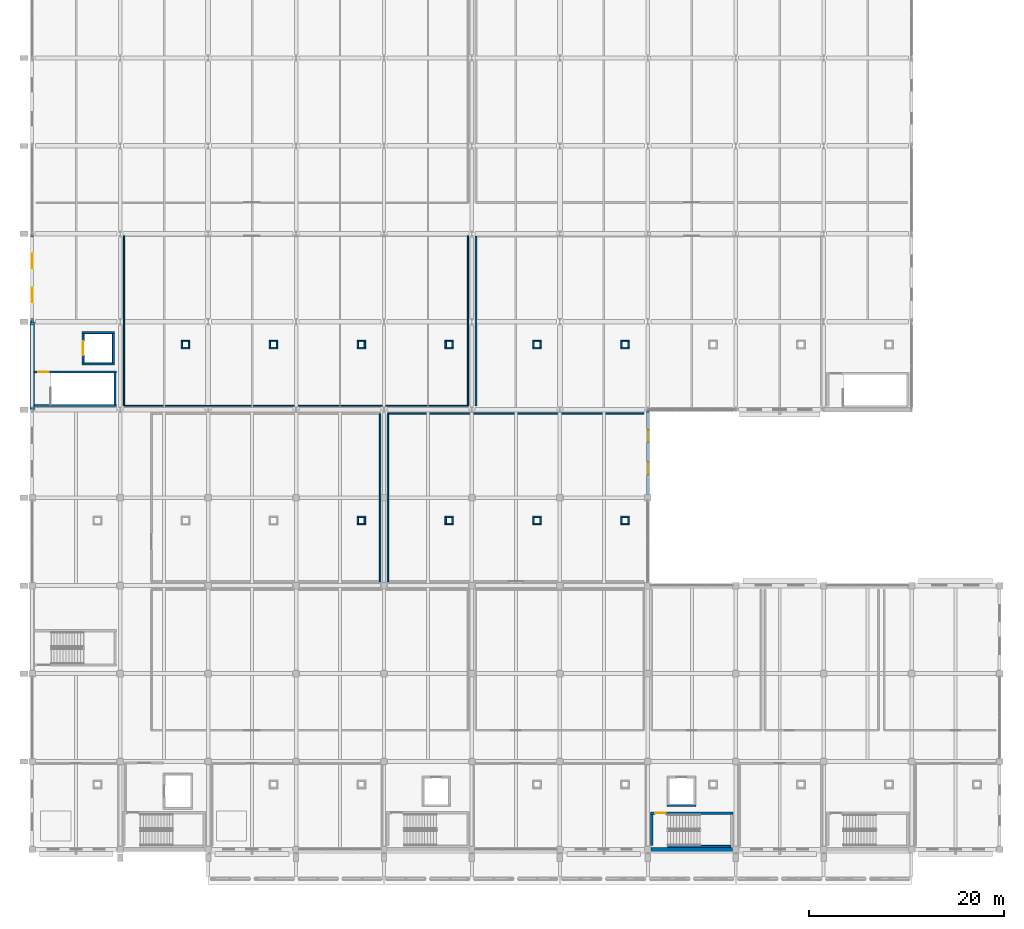
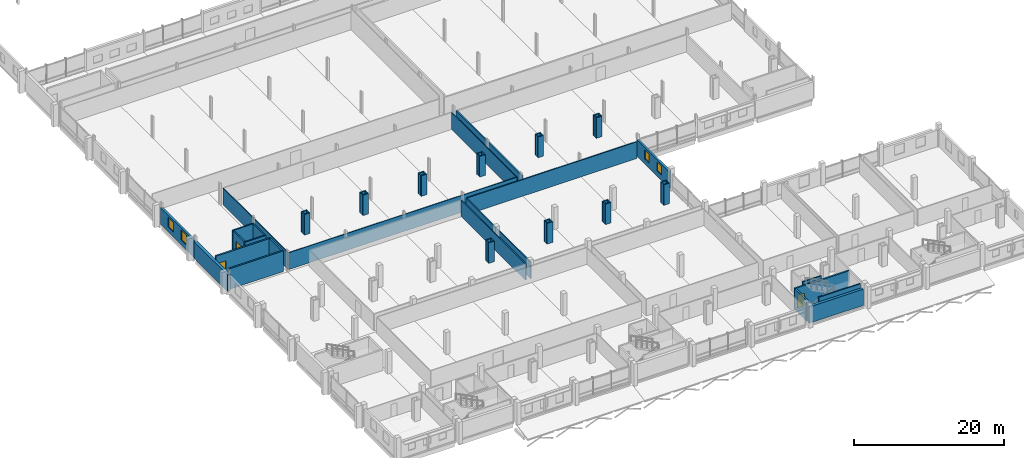
# One storey, part 103 of 132: 62 walls, 4 windows, 3 doors, 7 openings.
"""IFC4 building model written with IfcOpenShell, lengths in metres."""

from ifc_helpers import new_model, si_unit, direction, frame, frame_2d, origin, place, context, subcontext, project, spatial, rectangle, extrude, material, layer, layer_set, type_object, element, fill, save


model = new_model("IFC4")

# Units and contexts
model_context = context("Model", 3, precision=1e-05, world=origin(), true_north=direction((0.0, 1.0)))
body_context = subcontext(model_context, "Body", "Model", "MODEL_VIEW")
ifc_project = project(units=[si_unit("LENGTHUNIT", "METRE"), si_unit("AREAUNIT", "SQUARE_METRE"), si_unit("VOLUMEUNIT", "CUBIC_METRE"), si_unit("PLANEANGLEUNIT", "RADIAN"), si_unit("MASSUNIT", "GRAM", prefix="KILO")], contexts=[model_context])

# Site, building, storey
site_placement = place(None, origin())
site = spatial("IfcSite", under=ifc_project, at=site_placement, CompositionType="ELEMENT")
building_placement = place(site_placement, origin())
building = spatial("IfcBuilding", under=site, at=building_placement, Name="Tharagai Park Tramway Depot", CompositionType="ELEMENT")
storey_placement = place(building_placement, frame((0.0, 0.0, 4.800048828125)))
storey = spatial("IfcBuildingStorey", under=building, at=storey_placement, Name="L01", CompositionType="ELEMENT", Elevation=4.800048828125)

# Walls
ifc_material_1 = material(Name="Charnockite stone", Category="masonry")
ifc_layer_1 = layer(ifc_material_1, 0.419921875)
ifc_layer_set_1 = layer_set([ifc_layer_1], Name="Charnockite stone")
wall_type_1 = type_object("IfcWallType", Name="EW-07", PredefinedType="SOLIDWALL", material=ifc_layer_set_1)
wall_1_placement = place(storey_placement, frame((63.322998046875, 0.0, 0.0), z_axis=(0.0, 0.0, 1.0), x_axis=(1.0, 0.0, 0.0)))
element("IfcWall", 1, at=wall_1_placement, inside=storey, type_object=wall_type_1, Name="L01 V4 Exterior Masonry Wall EW-07", PredefinedType="SOLIDWALL", context=body_context, shape_type="SweptSolid", body=[
    extrude(rectangle(XDim=8.35400390625, YDim=0.419921875, at=frame_2d((4.177001953125, 0.0))), origin(), (0.0, 0.0, 1.0), 2.641845703125),
])
wall_2_placement = place(storey_placement, frame((0.0, 45.00390625, 0.0), z_axis=(0.0, 0.0, 1.0), x_axis=(0.0, 1.0, 0.0)))
element("IfcWall", 2, at=wall_2_placement, inside=storey, type_object=wall_type_1, Name="L01 V2 Exterior Masonry Wall EW-07", PredefinedType="SOLIDWALL", context=body_context, shape_type="SweptSolid", body=[
    extrude(rectangle(XDim=8.9921875, YDim=0.419921875, at=frame_2d((4.49609375, 0.0))), origin(), (0.0, 0.0, 1.0), 2.701904296875),
])

# Wall, openings, windows
ifc_material_2 = material(Name="Pressed clay brick", Category="masonry")
ifc_layer_2 = layer(ifc_material_2, 0.300048828125)
ifc_layer_set_2 = layer_set([ifc_layer_2], Name="Pressed clay brick")
wall_type_2 = type_object("IfcWallType", Name="EW-08", PredefinedType="SOLIDWALL", material=ifc_layer_set_2)
wall_3_placement = place(storey_placement, frame((0.0, 54.00390625, 0.0), z_axis=(0.0, 0.0, 1.0), x_axis=(0.0, 1.0, 0.0)))
wall_3 = element("IfcWall", 3, at=wall_3_placement, inside=storey, type_object=wall_type_2, Name="L01 V2 Exterior Masonry Wall EW-08", PredefinedType="SOLIDWALL", context=body_context, shape_type="SweptSolid", body=[
    extrude(rectangle(XDim=8.9921875, YDim=0.300048828125, at=frame_2d((4.49609375, 0.0))), origin(), (0.0, 0.0, 1.0), 2.741943359375),
])
opening_1_placement = place(wall_3_placement, frame((2.010986328125, 0.0, 0.85009765625)))
opening_1 = element("IfcOpeningElement", 4, at=opening_1_placement, cuts=wall_3, Name="Opening WN-03", PredefinedType="OPENING", context=body_context, shape_type="SweptSolid", body=[
    extrude(rectangle(XDim=1.47998046875, YDim=1.56005859375, at=frame_2d((0.739990234375, 0.780029296875))), frame((0.0, 0.159912109375, 0.0), z_axis=(0.0, -1.0, 0.0), x_axis=(1.0, 0.0, 0.0)), (0.0, 0.0, 1.0), 0.320068359375),
])
opening_2_placement = place(wall_3_placement, frame((5.5009765625, 0.0, 0.85009765625)))
opening_2 = element("IfcOpeningElement", 5, at=opening_2_placement, cuts=wall_3, Name="Opening WN-03", PredefinedType="OPENING", context=body_context, shape_type="SweptSolid", body=[
    extrude(rectangle(XDim=1.47998046875, YDim=1.56005859375, at=frame_2d((0.739990234375, 0.780029296875))), frame((0.0, 0.159912109375, 0.0), z_axis=(0.0, -1.0, 0.0), x_axis=(1.0, 0.0, 0.0)), (0.0, 0.0, 1.0), 0.320068359375),
])
ifc_material_3 = material(Name="Laminated solar-control glass", Category="glass")
window_type_1 = type_object("IfcWindowType", Name="WN-03", PartitioningType="SINGLE_PANEL", PredefinedType="WINDOW", material=ifc_material_3)
window_1_placement = place(opening_1_placement, origin())
window_1 = element("IfcWindow", 6, at=window_1_placement, inside=storey, type_object=window_type_1, Name="L01 V2 Side Lancet Window WN-03", OverallHeight=1.56005859375, OverallWidth=1.47998046875, PartitioningType="SINGLE_PANEL", PredefinedType="WINDOW", context=body_context, shape_type="SweptSolid", body=[
    extrude(rectangle(XDim=1.47998046875, YDim=1.56005859375, at=frame_2d((0.739990234375, 0.780029296875))), frame((0.0, 0.030029296875, 0.0), z_axis=(0.0, -1.0, 0.0), x_axis=(1.0, 0.0, 0.0)), (0.0, 0.0, 1.0), 0.06005859375),
])
fill(opening_1, window_1)
window_2_placement = place(opening_2_placement, origin())
window_2 = element("IfcWindow", 7, at=window_2_placement, inside=storey, type_object=window_type_1, Name="L01 V2 Side Lancet Window WN-03", OverallHeight=1.56005859375, OverallWidth=1.47998046875, PartitioningType="SINGLE_PANEL", PredefinedType="WINDOW", context=body_context, shape_type="SweptSolid", body=[
    extrude(rectangle(XDim=1.47998046875, YDim=1.56005859375, at=frame_2d((0.739990234375, 0.780029296875))), frame((0.0, 0.030029296875, 0.0), z_axis=(0.0, -1.0, 0.0), x_axis=(1.0, 0.0, 0.0)), (0.0, 0.0, 1.0), 0.06005859375),
])
fill(opening_2, window_2)

wall_4_placement = place(storey_placement, frame((63.0, 36.322998046875, 0.0), z_axis=(0.0, 0.0, 1.0), x_axis=(0.0, 1.0, 0.0)))
wall_4 = element("IfcWall", 8, at=wall_4_placement, inside=storey, type_object=wall_type_2, Name="L01 V4 Exterior Masonry Wall EW-08", PredefinedType="SOLIDWALL", context=body_context, shape_type="SweptSolid", body=[
    extrude(rectangle(XDim=8.673095703125, YDim=0.300048828125, at=frame_2d((4.33642578125, 0.0))), origin(), (0.0, 0.0, 1.0), 2.701904296875),
])
opening_3_placement = place(wall_4_placement, frame((2.051025390625, 0.0, 0.85009765625)))
opening_3 = element("IfcOpeningElement", 9, at=opening_3_placement, cuts=wall_4, Name="Opening WN-09", PredefinedType="OPENING", context=body_context, shape_type="SweptSolid", body=[
    extrude(rectangle(XDim=1.260009765625, YDim=1.4599609375, at=frame_2d((0.6298828125, 0.72998046875))), frame((0.0, 0.159912109375, 0.0), z_axis=(0.0, -1.0, 0.0), x_axis=(1.0, 0.0, 0.0)), (0.0, 0.0, 1.0), 0.320068359375),
])
opening_4_placement = place(wall_4_placement, frame((5.362060546875, 0.0, 0.85009765625)))
opening_4 = element("IfcOpeningElement", 10, at=opening_4_placement, cuts=wall_4, Name="Opening WN-09", PredefinedType="OPENING", context=body_context, shape_type="SweptSolid", body=[
    extrude(rectangle(XDim=1.260009765625, YDim=1.4599609375, at=frame_2d((0.6298828125, 0.72998046875))), frame((0.0, 0.159912109375, 0.0), z_axis=(0.0, -1.0, 0.0), x_axis=(1.0, 0.0, 0.0)), (0.0, 0.0, 1.0), 0.320068359375),
])
window_type_2 = type_object("IfcWindowType", Name="WN-09", PartitioningType="SINGLE_PANEL", PredefinedType="WINDOW", material=ifc_material_3)
window_3_placement = place(opening_3_placement, origin())
window_3 = element("IfcWindow", 11, at=window_3_placement, inside=storey, type_object=window_type_2, Name="L01 V4 Side Lancet Window WN-09", OverallHeight=1.4599609375, OverallWidth=1.260009765625, PartitioningType="SINGLE_PANEL", PredefinedType="WINDOW", context=body_context, shape_type="SweptSolid", body=[
    extrude(rectangle(XDim=1.260009765625, YDim=1.4599609375, at=frame_2d((0.6298828125, 0.72998046875))), frame((0.0, 0.030029296875, 0.0), z_axis=(0.0, -1.0, 0.0), x_axis=(1.0, 0.0, 0.0)), (0.0, 0.0, 1.0), 0.06005859375),
])
fill(opening_3, window_3)
window_4_placement = place(opening_4_placement, origin())
window_4 = element("IfcWindow", 12, at=window_4_placement, inside=storey, type_object=window_type_2, Name="L01 V4 Side Lancet Window WN-09", OverallHeight=1.4599609375, OverallWidth=1.260009765625, PartitioningType="SINGLE_PANEL", PredefinedType="WINDOW", context=body_context, shape_type="SweptSolid", body=[
    extrude(rectangle(XDim=1.260009765625, YDim=1.4599609375, at=frame_2d((0.6298828125, 0.72998046875))), frame((0.0, 0.030029296875, 0.0), z_axis=(0.0, -1.0, 0.0), x_axis=(1.0, 0.0, 0.0)), (0.0, 0.0, 1.0), 0.06005859375),
])
fill(opening_4, window_4)

# Walls
ifc_layer_3 = layer(ifc_material_2, 0.159912109375)
ifc_layer_set_3 = layer_set([ifc_layer_3], Name="Pressed clay brick")
wall_type_3 = type_object("IfcWallType", Name="IW-02", PredefinedType="PARTITIONING", material=ifc_layer_set_3)
for number, where, z_axis, x_axis, name in (
    (13, (15.239990234375, 51.320068359375, 0.0), (0.0, 0.0, 1.0), (1.0, 0.0, 0.0), "L01 Pipe Riser Enclosure Wall 1 S"),
    (14, (15.239990234375, 52.030029296875, 0.0), (0.0, 0.0, 1.0), (1.0, 0.0, 0.0), "L01 Pipe Riser Enclosure Wall 1 N"),
):
    element("IfcWall", number, at=place(storey_placement, frame(where, z_axis=z_axis, x_axis=x_axis)), inside=storey, type_object=wall_type_3, Name=name, PredefinedType="PARTITIONING", context=body_context, shape_type="SweptSolid", body=[
        extrude(rectangle(XDim=0.8701171875, YDim=0.159912109375, at=frame_2d((0.43505859375, 0.0))), origin(), (0.0, 0.0, 1.0), 3.349853515625),
    ])
for number, where, z_axis, x_axis, name in (
    (15, (15.320068359375, 51.39990234375, 0.0), (0.0, 0.0, 1.0), (0.0, 1.0, 0.0), "L01 Pipe Riser Enclosure Wall 1 W"),
    (16, (16.030029296875, 51.39990234375, 0.0), (0.0, 0.0, 1.0), (0.0, 1.0, 0.0), "L01 Pipe Riser Enclosure Wall 1 E"),
):
    element("IfcWall", number, at=place(storey_placement, frame(where, z_axis=z_axis, x_axis=x_axis)), inside=storey, type_object=wall_type_3, Name=name, PredefinedType="PARTITIONING", context=body_context, shape_type="SweptSolid", body=[
        extrude(rectangle(XDim=0.550048828125, YDim=0.159912109375, at=frame_2d((0.27490234375, 0.0))), origin(), (0.0, 0.0, 1.0), 3.349853515625),
    ])
for number, where, z_axis, x_axis, name in (
    (17, (24.239990234375, 51.320068359375, 0.0), (0.0, 0.0, 1.0), (1.0, 0.0, 0.0), "L01 Pipe Riser Enclosure Wall 2 S"),
    (18, (24.239990234375, 52.030029296875, 0.0), (0.0, 0.0, 1.0), (1.0, 0.0, 0.0), "L01 Pipe Riser Enclosure Wall 2 N"),
):
    element("IfcWall", number, at=place(storey_placement, frame(where, z_axis=z_axis, x_axis=x_axis)), inside=storey, type_object=wall_type_3, Name=name, PredefinedType="PARTITIONING", context=body_context, shape_type="SweptSolid", body=[
        extrude(rectangle(XDim=0.8701171875, YDim=0.159912109375, at=frame_2d((0.43505859375, 0.0))), origin(), (0.0, 0.0, 1.0), 3.349853515625),
    ])
for number, where, z_axis, x_axis, name in (
    (19, (24.320068359375, 51.39990234375, 0.0), (0.0, 0.0, 1.0), (0.0, 1.0, 0.0), "L01 Pipe Riser Enclosure Wall 2 W"),
    (20, (25.030029296875, 51.39990234375, 0.0), (0.0, 0.0, 1.0), (0.0, 1.0, 0.0), "L01 Pipe Riser Enclosure Wall 2 E"),
):
    element("IfcWall", number, at=place(storey_placement, frame(where, z_axis=z_axis, x_axis=x_axis)), inside=storey, type_object=wall_type_3, Name=name, PredefinedType="PARTITIONING", context=body_context, shape_type="SweptSolid", body=[
        extrude(rectangle(XDim=0.550048828125, YDim=0.159912109375, at=frame_2d((0.27490234375, 0.0))), origin(), (0.0, 0.0, 1.0), 3.349853515625),
    ])
for number, where, z_axis, x_axis, name in (
    (21, (33.239990234375, 51.320068359375, 0.0), (0.0, 0.0, 1.0), (1.0, 0.0, 0.0), "L01 Pipe Riser Enclosure Wall 3 S"),
    (22, (33.239990234375, 52.030029296875, 0.0), (0.0, 0.0, 1.0), (1.0, 0.0, 0.0), "L01 Pipe Riser Enclosure Wall 3 N"),
):
    element("IfcWall", number, at=place(storey_placement, frame(where, z_axis=z_axis, x_axis=x_axis)), inside=storey, type_object=wall_type_3, Name=name, PredefinedType="PARTITIONING", context=body_context, shape_type="SweptSolid", body=[
        extrude(rectangle(XDim=0.8701171875, YDim=0.159912109375, at=frame_2d((0.43505859375, 0.0))), origin(), (0.0, 0.0, 1.0), 3.349853515625),
    ])
for number, where, z_axis, x_axis, name in (
    (23, (33.320068359375, 51.39990234375, 0.0), (0.0, 0.0, 1.0), (0.0, 1.0, 0.0), "L01 Pipe Riser Enclosure Wall 3 W"),
    (24, (34.030029296875, 51.39990234375, 0.0), (0.0, 0.0, 1.0), (0.0, 1.0, 0.0), "L01 Pipe Riser Enclosure Wall 3 E"),
):
    element("IfcWall", number, at=place(storey_placement, frame(where, z_axis=z_axis, x_axis=x_axis)), inside=storey, type_object=wall_type_3, Name=name, PredefinedType="PARTITIONING", context=body_context, shape_type="SweptSolid", body=[
        extrude(rectangle(XDim=0.550048828125, YDim=0.159912109375, at=frame_2d((0.27490234375, 0.0))), origin(), (0.0, 0.0, 1.0), 3.349853515625),
    ])
for number, where, z_axis, x_axis, name in (
    (25, (42.239990234375, 51.320068359375, 0.0), (0.0, 0.0, 1.0), (1.0, 0.0, 0.0), "L01 Pipe Riser Enclosure Wall 4 S"),
    (26, (42.239990234375, 52.030029296875, 0.0), (0.0, 0.0, 1.0), (1.0, 0.0, 0.0), "L01 Pipe Riser Enclosure Wall 4 N"),
):
    element("IfcWall", number, at=place(storey_placement, frame(where, z_axis=z_axis, x_axis=x_axis)), inside=storey, type_object=wall_type_3, Name=name, PredefinedType="PARTITIONING", context=body_context, shape_type="SweptSolid", body=[
        extrude(rectangle(XDim=0.8701171875, YDim=0.159912109375, at=frame_2d((0.43505859375, 0.0))), origin(), (0.0, 0.0, 1.0), 3.349853515625),
    ])
for number, where, z_axis, x_axis, name in (
    (27, (42.320068359375, 51.39990234375, 0.0), (0.0, 0.0, 1.0), (0.0, 1.0, 0.0), "L01 Pipe Riser Enclosure Wall 4 W"),
    (28, (43.030029296875, 51.39990234375, 0.0), (0.0, 0.0, 1.0), (0.0, 1.0, 0.0), "L01 Pipe Riser Enclosure Wall 4 E"),
):
    element("IfcWall", number, at=place(storey_placement, frame(where, z_axis=z_axis, x_axis=x_axis)), inside=storey, type_object=wall_type_3, Name=name, PredefinedType="PARTITIONING", context=body_context, shape_type="SweptSolid", body=[
        extrude(rectangle(XDim=0.550048828125, YDim=0.159912109375, at=frame_2d((0.27490234375, 0.0))), origin(), (0.0, 0.0, 1.0), 3.349853515625),
    ])
for number, where, z_axis, x_axis, name in (
    (29, (51.239990234375, 51.320068359375, 0.0), (0.0, 0.0, 1.0), (1.0, 0.0, 0.0), "L01 Pipe Riser Enclosure Wall 5 S"),
    (30, (51.239990234375, 52.030029296875, 0.0), (0.0, 0.0, 1.0), (1.0, 0.0, 0.0), "L01 Pipe Riser Enclosure Wall 5 N"),
):
    element("IfcWall", number, at=place(storey_placement, frame(where, z_axis=z_axis, x_axis=x_axis)), inside=storey, type_object=wall_type_3, Name=name, PredefinedType="PARTITIONING", context=body_context, shape_type="SweptSolid", body=[
        extrude(rectangle(XDim=0.8701171875, YDim=0.159912109375, at=frame_2d((0.43505859375, 0.0))), origin(), (0.0, 0.0, 1.0), 3.349853515625),
    ])
for number, where, z_axis, x_axis, name in (
    (31, (51.320068359375, 51.39990234375, 0.0), (0.0, 0.0, 1.0), (0.0, 1.0, 0.0), "L01 Pipe Riser Enclosure Wall 5 W"),
    (32, (52.030029296875, 51.39990234375, 0.0), (0.0, 0.0, 1.0), (0.0, 1.0, 0.0), "L01 Pipe Riser Enclosure Wall 5 E"),
):
    element("IfcWall", number, at=place(storey_placement, frame(where, z_axis=z_axis, x_axis=x_axis)), inside=storey, type_object=wall_type_3, Name=name, PredefinedType="PARTITIONING", context=body_context, shape_type="SweptSolid", body=[
        extrude(rectangle(XDim=0.550048828125, YDim=0.159912109375, at=frame_2d((0.27490234375, 0.0))), origin(), (0.0, 0.0, 1.0), 3.349853515625),
    ])
for number, where, z_axis, x_axis, name in (
    (33, (60.239990234375, 51.320068359375, 0.0), (0.0, 0.0, 1.0), (1.0, 0.0, 0.0), "L01 Pipe Riser Enclosure Wall 6 S"),
    (34, (60.239990234375, 52.030029296875, 0.0), (0.0, 0.0, 1.0), (1.0, 0.0, 0.0), "L01 Pipe Riser Enclosure Wall 6 N"),
):
    element("IfcWall", number, at=place(storey_placement, frame(where, z_axis=z_axis, x_axis=x_axis)), inside=storey, type_object=wall_type_3, Name=name, PredefinedType="PARTITIONING", context=body_context, shape_type="SweptSolid", body=[
        extrude(rectangle(XDim=0.8701171875, YDim=0.159912109375, at=frame_2d((0.43505859375, 0.0))), origin(), (0.0, 0.0, 1.0), 3.349853515625),
    ])
for number, where, z_axis, x_axis, name in (
    (35, (60.320068359375, 51.39990234375, 0.0), (0.0, 0.0, 1.0), (0.0, 1.0, 0.0), "L01 Pipe Riser Enclosure Wall 6 W"),
    (36, (61.030029296875, 51.39990234375, 0.0), (0.0, 0.0, 1.0), (0.0, 1.0, 0.0), "L01 Pipe Riser Enclosure Wall 6 E"),
):
    element("IfcWall", number, at=place(storey_placement, frame(where, z_axis=z_axis, x_axis=x_axis)), inside=storey, type_object=wall_type_3, Name=name, PredefinedType="PARTITIONING", context=body_context, shape_type="SweptSolid", body=[
        extrude(rectangle(XDim=0.550048828125, YDim=0.159912109375, at=frame_2d((0.27490234375, 0.0))), origin(), (0.0, 0.0, 1.0), 3.349853515625),
    ])
for number, where, z_axis, x_axis, name in (
    (37, (33.239990234375, 33.320068359375, 0.0), (0.0, 0.0, 1.0), (1.0, 0.0, 0.0), "L01 Pipe Riser Enclosure Wall 27 S"),
    (38, (33.239990234375, 34.030029296875, 0.0), (0.0, 0.0, 1.0), (1.0, 0.0, 0.0), "L01 Pipe Riser Enclosure Wall 27 N"),
):
    element("IfcWall", number, at=place(storey_placement, frame(where, z_axis=z_axis, x_axis=x_axis)), inside=storey, type_object=wall_type_3, Name=name, PredefinedType="PARTITIONING", context=body_context, shape_type="SweptSolid", body=[
        extrude(rectangle(XDim=0.8701171875, YDim=0.159912109375, at=frame_2d((0.43505859375, 0.0))), origin(), (0.0, 0.0, 1.0), 3.349853515625),
    ])
for number, where, z_axis, x_axis, name in (
    (39, (33.320068359375, 33.39990234375, 0.0), (0.0, 0.0, 1.0), (0.0, 1.0, 0.0), "L01 Pipe Riser Enclosure Wall 27 W"),
    (40, (34.030029296875, 33.39990234375, 0.0), (0.0, 0.0, 1.0), (0.0, 1.0, 0.0), "L01 Pipe Riser Enclosure Wall 27 E"),
):
    element("IfcWall", number, at=place(storey_placement, frame(where, z_axis=z_axis, x_axis=x_axis)), inside=storey, type_object=wall_type_3, Name=name, PredefinedType="PARTITIONING", context=body_context, shape_type="SweptSolid", body=[
        extrude(rectangle(XDim=0.550048828125, YDim=0.159912109375, at=frame_2d((0.27490234375, 0.0))), origin(), (0.0, 0.0, 1.0), 3.349853515625),
    ])
for number, where, z_axis, x_axis, name in (
    (41, (42.239990234375, 33.320068359375, 0.0), (0.0, 0.0, 1.0), (1.0, 0.0, 0.0), "L01 Pipe Riser Enclosure Wall 28 S"),
    (42, (42.239990234375, 34.030029296875, 0.0), (0.0, 0.0, 1.0), (1.0, 0.0, 0.0), "L01 Pipe Riser Enclosure Wall 28 N"),
):
    element("IfcWall", number, at=place(storey_placement, frame(where, z_axis=z_axis, x_axis=x_axis)), inside=storey, type_object=wall_type_3, Name=name, PredefinedType="PARTITIONING", context=body_context, shape_type="SweptSolid", body=[
        extrude(rectangle(XDim=0.8701171875, YDim=0.159912109375, at=frame_2d((0.43505859375, 0.0))), origin(), (0.0, 0.0, 1.0), 3.349853515625),
    ])
for number, where, z_axis, x_axis, name in (
    (43, (42.320068359375, 33.39990234375, 0.0), (0.0, 0.0, 1.0), (0.0, 1.0, 0.0), "L01 Pipe Riser Enclosure Wall 28 W"),
    (44, (43.030029296875, 33.39990234375, 0.0), (0.0, 0.0, 1.0), (0.0, 1.0, 0.0), "L01 Pipe Riser Enclosure Wall 28 E"),
):
    element("IfcWall", number, at=place(storey_placement, frame(where, z_axis=z_axis, x_axis=x_axis)), inside=storey, type_object=wall_type_3, Name=name, PredefinedType="PARTITIONING", context=body_context, shape_type="SweptSolid", body=[
        extrude(rectangle(XDim=0.550048828125, YDim=0.159912109375, at=frame_2d((0.27490234375, 0.0))), origin(), (0.0, 0.0, 1.0), 3.349853515625),
    ])
for number, where, z_axis, x_axis, name in (
    (45, (51.239990234375, 33.320068359375, 0.0), (0.0, 0.0, 1.0), (1.0, 0.0, 0.0), "L01 Pipe Riser Enclosure Wall 29 S"),
    (46, (51.239990234375, 34.030029296875, 0.0), (0.0, 0.0, 1.0), (1.0, 0.0, 0.0), "L01 Pipe Riser Enclosure Wall 29 N"),
):
    element("IfcWall", number, at=place(storey_placement, frame(where, z_axis=z_axis, x_axis=x_axis)), inside=storey, type_object=wall_type_3, Name=name, PredefinedType="PARTITIONING", context=body_context, shape_type="SweptSolid", body=[
        extrude(rectangle(XDim=0.8701171875, YDim=0.159912109375, at=frame_2d((0.43505859375, 0.0))), origin(), (0.0, 0.0, 1.0), 3.349853515625),
    ])
for number, where, z_axis, x_axis, name in (
    (47, (51.320068359375, 33.39990234375, 0.0), (0.0, 0.0, 1.0), (0.0, 1.0, 0.0), "L01 Pipe Riser Enclosure Wall 29 W"),
    (48, (52.030029296875, 33.39990234375, 0.0), (0.0, 0.0, 1.0), (0.0, 1.0, 0.0), "L01 Pipe Riser Enclosure Wall 29 E"),
):
    element("IfcWall", number, at=place(storey_placement, frame(where, z_axis=z_axis, x_axis=x_axis)), inside=storey, type_object=wall_type_3, Name=name, PredefinedType="PARTITIONING", context=body_context, shape_type="SweptSolid", body=[
        extrude(rectangle(XDim=0.550048828125, YDim=0.159912109375, at=frame_2d((0.27490234375, 0.0))), origin(), (0.0, 0.0, 1.0), 3.349853515625),
    ])
for number, where, z_axis, x_axis, name in (
    (49, (60.239990234375, 33.320068359375, 0.0), (0.0, 0.0, 1.0), (1.0, 0.0, 0.0), "L01 Pipe Riser Enclosure Wall 30 S"),
    (50, (60.239990234375, 34.030029296875, 0.0), (0.0, 0.0, 1.0), (1.0, 0.0, 0.0), "L01 Pipe Riser Enclosure Wall 30 N"),
):
    element("IfcWall", number, at=place(storey_placement, frame(where, z_axis=z_axis, x_axis=x_axis)), inside=storey, type_object=wall_type_3, Name=name, PredefinedType="PARTITIONING", context=body_context, shape_type="SweptSolid", body=[
        extrude(rectangle(XDim=0.8701171875, YDim=0.159912109375, at=frame_2d((0.43505859375, 0.0))), origin(), (0.0, 0.0, 1.0), 3.349853515625),
    ])
for number, where, z_axis, x_axis, name in (
    (51, (60.320068359375, 33.39990234375, 0.0), (0.0, 0.0, 1.0), (0.0, 1.0, 0.0), "L01 Pipe Riser Enclosure Wall 30 W"),
    (52, (61.030029296875, 33.39990234375, 0.0), (0.0, 0.0, 1.0), (0.0, 1.0, 0.0), "L01 Pipe Riser Enclosure Wall 30 E"),
):
    element("IfcWall", number, at=place(storey_placement, frame(where, z_axis=z_axis, x_axis=x_axis)), inside=storey, type_object=wall_type_3, Name=name, PredefinedType="PARTITIONING", context=body_context, shape_type="SweptSolid", body=[
        extrude(rectangle(XDim=0.550048828125, YDim=0.159912109375, at=frame_2d((0.27490234375, 0.0))), origin(), (0.0, 0.0, 1.0), 3.349853515625),
    ])
wall_5_placement = place(storey_placement, frame((35.60009765625, 27.39990234375, 0.0), z_axis=(0.0, 0.0, 1.0), x_axis=(0.0, 1.0, 0.0)))
element("IfcWall", 53, at=wall_5_placement, inside=storey, type_object=wall_type_3, Name="Communications Server and UPS Plant Room Partition East", PredefinedType="PARTITIONING", context=body_context, shape_type="SweptSolid", body=[
    extrude(rectangle(XDim=17.2001953125, YDim=0.159912109375, at=frame_2d((8.60009765625, 0.0))), origin(), (0.0, 0.0, 1.0), 2.64501953125),
])
wall_6_placement = place(storey_placement, frame((36.39990234375, 44.60009765625, 0.0), z_axis=(0.0, 0.0, 1.0), x_axis=(1.0, 0.0, 0.0)))
element("IfcWall", 54, at=wall_6_placement, inside=storey, type_object=wall_type_3, Name="West Wing Chilled-Water AHU Plant Room Partition North", PredefinedType="PARTITIONING", context=body_context, shape_type="SweptSolid", body=[
    extrude(rectangle(XDim=26.2001953125, YDim=0.159912109375, at=frame_2d((13.10009765625, 0.0))), origin(), (0.0, 0.0, 1.0), 2.704833984375),
])
wall_7_placement = place(storey_placement, frame((36.39990234375, 27.39990234375, 0.0), z_axis=(0.0, 0.0, 1.0), x_axis=(0.0, 1.0, 0.0)))
element("IfcWall", 55, at=wall_7_placement, inside=storey, type_object=wall_type_3, Name="West Wing Chilled-Water AHU Plant Room Partition West", PredefinedType="PARTITIONING", context=body_context, shape_type="SweptSolid", body=[
    extrude(rectangle(XDim=17.2001953125, YDim=0.159912109375, at=frame_2d((8.60009765625, 0.0))), origin(), (0.0, 0.0, 1.0), 2.64501953125),
])
ifc_material_4 = material(Name="Gypsum board", Category="gypsum")
ifc_layer_4 = layer(ifc_material_4, 0.1201171875)
ifc_layer_set_4 = layer_set([ifc_layer_4], Name="Gypsum board")
wall_type_4 = type_object("IfcWallType", Name="IW-03", PredefinedType="PARTITIONING", material=ifc_layer_set_4)
wall_8_placement = place(storey_placement, frame((9.39990234375, 45.39990234375, 0.0), z_axis=(0.0, 0.0, 1.0), x_axis=(1.0, 0.0, 0.0)))
element("IfcWall", 56, at=wall_8_placement, inside=storey, type_object=wall_type_4, Name="Bogie Overhaul Workshop Partition South", PredefinedType="PARTITIONING", context=body_context, shape_type="SweptSolid", body=[
    extrude(rectangle(XDim=35.2001953125, YDim=0.1201171875, at=frame_2d((17.60009765625, 0.0))), origin(), (0.0, 0.0, 1.0), 2.744873046875),
])
for number, where, z_axis, x_axis, name in (
    (57, (9.39990234375, 45.39990234375, 0.0), (0.0, 0.0, 1.0), (0.0, 1.0, 0.0), "Bogie Overhaul Workshop Partition West"),
    (58, (44.60009765625, 45.39990234375, 0.0), (0.0, 0.0, 1.0), (0.0, 1.0, 0.0), "Bogie Overhaul Workshop Partition East"),
):
    element("IfcWall", number, at=place(storey_placement, frame(where, z_axis=z_axis, x_axis=x_axis)), inside=storey, type_object=wall_type_4, Name=name, PredefinedType="PARTITIONING", context=body_context, shape_type="SweptSolid", body=[
        extrude(rectangle(XDim=17.400146484375, YDim=0.1201171875, at=frame_2d((8.7001953125, 0.0))), origin(), (0.0, 0.0, 1.0), 2.744873046875),
    ])
ifc_layer_5 = layer(ifc_material_2, 0.219970703125)
ifc_layer_set_5 = layer_set([ifc_layer_5], Name="Pressed clay brick")
wall_type_5 = type_object("IfcWallType", Name="IW-05", PredefinedType="SOLIDWALL", material=ifc_layer_set_5)
wall_9_placement = place(storey_placement, frame((45.39990234375, 45.39990234375, 0.0), z_axis=(0.0, 0.0, 1.0), x_axis=(0.0, 1.0, 0.0)))
element("IfcWall", 59, at=wall_9_placement, inside=storey, type_object=wall_type_5, Name="Traction Motor and Battery Workshop Partition West", PredefinedType="SOLIDWALL", context=body_context, shape_type="SweptSolid", body=[
    extrude(rectangle(XDim=17.400146484375, YDim=0.219970703125, at=frame_2d((8.7001953125, 0.0))), origin(), (0.0, 0.0, 1.0), 2.744873046875),
])

# Wall, opening, door
ifc_material_5 = material(Name="Concrete M40", Category="concrete")
ifc_layer_6 = layer(ifc_material_5, 0.239990234375)
ifc_layer_set_6 = layer_set([ifc_layer_6], Name="Concrete M40")
wall_type_6 = type_object("IfcWallType", Name="SW-01", PredefinedType="SHEAR", material=ifc_layer_set_6)
wall_10_placement = place(storey_placement, frame((63.280029296875, 3.7099609375, 0.0), z_axis=(0.0, 0.0, 1.0), x_axis=(1.0, 0.0, 0.0)))
wall_10 = element("IfcWall", 60, at=wall_10_placement, inside=storey, type_object=wall_type_6, Name="Core C4 L01 Shear Wall North", PredefinedType="SHEAR", context=body_context, shape_type="SweptSolid", body=[
    extrude(rectangle(XDim=8.43994140625, YDim=0.239990234375, at=frame_2d((4.219970703125, 0.0))), origin(), (0.0, 0.0, 1.0), 3.349853515625),
])
opening_5_placement = place(wall_10_placement, frame((0.4599609375, 0.0, 0.0)))
opening_5 = element("IfcOpeningElement", 61, at=opening_5_placement, cuts=wall_10, Name="Opening ID-05", PredefinedType="OPENING", context=body_context, shape_type="SweptSolid", body=[
    extrude(rectangle(XDim=1.080078125, YDim=2.080078125, at=frame_2d((0.5400390625, 1.0400390625))), frame((0.0, 0.1298828125, 0.0), z_axis=(0.0, -1.0, 0.0), x_axis=(1.0, 0.0, 0.0)), (0.0, 0.0, 1.0), 0.260009765625),
])
ifc_material_6 = material(Name="Galvanised steel", Category="steel")
door_type_1 = type_object("IfcDoorType", Name="ID-05", OperationType="NOTDEFINED", PredefinedType="DOOR", material=ifc_material_6)
door_1_placement = place(opening_5_placement, frame((1.080078125, 0.0, 0.0), z_axis=(0.0, 0.0, 1.0), x_axis=(-1.0, 0.0, 0.0)))
door_1 = element("IfcDoor", 62, at=door_1_placement, inside=storey, type_object=door_type_1, Name="Stair ST-04 L01 Fire Door", OperationType="SINGLE_SWING_LEFT", OverallHeight=2.080078125, OverallWidth=1.080078125, PredefinedType="DOOR", context=body_context, shape_type="SweptSolid", body=[
    extrude(rectangle(XDim=1.080078125, YDim=2.080078125, at=frame_2d((0.5400390625, 1.0400390625))), frame((0.0, 0.02490234375, 0.0), z_axis=(0.0, -1.0, 0.0), x_axis=(1.0, 0.0, 0.0)), (0.0, 0.0, 1.0), 0.050048828125),
])
fill(opening_5, door_1)

# Walls
wall_11_placement = place(storey_placement, frame((63.39990234375, 0.39990234375, 0.0), z_axis=(0.0, 0.0, 1.0), x_axis=(0.0, 1.0, 0.0)))
element("IfcWall", 63, at=wall_11_placement, inside=storey, type_object=wall_type_6, Name="Core C4 L01 Shear Wall West", PredefinedType="SHEAR", context=body_context, shape_type="SweptSolid", body=[
    extrude(rectangle(XDim=3.190185546875, YDim=0.239990234375, at=frame_2d((1.59521484375, 0.0))), origin(), (0.0, 0.0, 1.0), 3.349853515625),
])
wall_12_placement = place(storey_placement, frame((0.159912109375, 45.429931640625, 0.0), z_axis=(0.0, 0.0, 1.0), x_axis=(1.0, 0.0, 0.0)))
element("IfcWall", 64, at=wall_12_placement, inside=storey, type_object=wall_type_6, Name="Core C8 L01 Shear Wall South", PredefinedType="SHEAR", context=body_context, shape_type="SweptSolid", body=[
    extrude(rectangle(XDim=8.440185546875, YDim=0.239990234375, at=frame_2d((4.22021484375, 0.0))), origin(), (0.0, 0.0, 1.0), 3.349853515625),
])

# Wall, opening, door
wall_13_placement = place(storey_placement, frame((0.159912109375, 48.860107421875, 0.0), z_axis=(0.0, 0.0, 1.0), x_axis=(1.0, 0.0, 0.0)))
wall_13 = element("IfcWall", 65, at=wall_13_placement, inside=storey, type_object=wall_type_6, Name="Core C8 L01 Shear Wall North", PredefinedType="SHEAR", context=body_context, shape_type="SweptSolid", body=[
    extrude(rectangle(XDim=8.440185546875, YDim=0.239990234375, at=frame_2d((4.22021484375, 0.0))), origin(), (0.0, 0.0, 1.0), 3.349853515625),
])
opening_6_placement = place(wall_13_placement, frame((0.4599609375, 0.0, 0.0)))
opening_6 = element("IfcOpeningElement", 66, at=opening_6_placement, cuts=wall_13, Name="Opening ID-05", PredefinedType="OPENING", context=body_context, shape_type="SweptSolid", body=[
    extrude(rectangle(XDim=1.080078125, YDim=2.080078125, at=frame_2d((0.5400390625, 1.0400390625))), frame((0.0, 0.1298828125, 0.0), z_axis=(0.0, -1.0, 0.0), x_axis=(1.0, 0.0, 0.0)), (0.0, 0.0, 1.0), 0.260009765625),
])
door_2_placement = place(opening_6_placement, frame((1.080078125, 0.0, 0.0), z_axis=(0.0, 0.0, 1.0), x_axis=(-1.0, 0.0, 0.0)))
door_2 = element("IfcDoor", 67, at=door_2_placement, inside=storey, type_object=door_type_1, Name="Stair ST-08 L01 Fire Door", OperationType="SINGLE_SWING_RIGHT", OverallHeight=2.080078125, OverallWidth=1.080078125, PredefinedType="DOOR", context=body_context, shape_type="SweptSolid", body=[
    extrude(rectangle(XDim=1.080078125, YDim=2.080078125, at=frame_2d((0.5400390625, 1.0400390625))), frame((0.0, 0.02490234375, 0.0), z_axis=(0.0, -1.0, 0.0), x_axis=(1.0, 0.0, 0.0)), (0.0, 0.0, 1.0), 0.050048828125),
])
fill(opening_6, door_2)

# Walls
wall_14_placement = place(storey_placement, frame((8.47998046875, 45.550048828125, 0.0), z_axis=(0.0, 0.0, 1.0), x_axis=(0.0, 1.0, 0.0)))
element("IfcWall", 68, at=wall_14_placement, inside=storey, type_object=wall_type_6, Name="Core C8 L01 Shear Wall East", PredefinedType="SHEAR", context=body_context, shape_type="SweptSolid", body=[
    extrude(rectangle(XDim=3.18994140625, YDim=0.239990234375, at=frame_2d((1.594970703125, 0.0))), origin(), (0.0, 0.0, 1.0), 3.349853515625),
])
ifc_layer_7 = layer(ifc_material_5, 0.199951171875)
ifc_layer_set_7 = layer_set([ifc_layer_7], Name="Concrete M40")
wall_type_7 = type_object("IfcWallType", Name="SW-02", PredefinedType="SHEAR", material=ifc_layer_set_7)
wall_15_placement = place(storey_placement, frame((65.0400390625, 0.31494140625, 0.0), z_axis=(0.0, 0.0, 1.0), x_axis=(1.0, 0.0, 0.0)))
element("IfcWall", 69, at=wall_15_placement, inside=storey, type_object=wall_type_7, Name="Core C4 L01 Shear Bearing Liner South", PredefinedType="SHEAR", context=body_context, shape_type="SweptSolid", body=[
    extrude(rectangle(XDim=6.43994140625, YDim=0.199951171875, at=frame_2d((3.219970703125, 0.0))), origin(), (0.0, 0.0, 1.0), 3.349853515625),
])
wall_16_placement = place(storey_placement, frame((65.0, 4.5, 0.0), z_axis=(0.0, 0.0, 1.0), x_axis=(1.0, 0.0, 0.0)))
element("IfcWall", 70, at=wall_16_placement, inside=storey, type_object=wall_type_7, Name="Lift LP-02 L01 Shaft Wall South", PredefinedType="SHEAR", context=body_context, shape_type="SweptSolid", body=[
    extrude(rectangle(XDim=2.89990234375, YDim=0.199951171875, at=frame_2d((1.449951171875, 0.0))), origin(), (0.0, 0.0, 1.0), 3.349853515625),
])
for number, where, z_axis, x_axis, name in (
    (71, (5.10009765625, 49.699951171875, 0.0), (0.0, 0.0, 1.0), (1.0, 0.0, 0.0), "Lift LG-01 L01 Shaft Wall South"),
    (72, (5.10009765625, 52.89990234375, 0.0), (0.0, 0.0, 1.0), (1.0, 0.0, 0.0), "Lift LG-01 L01 Shaft Wall North"),
):
    element("IfcWall", number, at=place(storey_placement, frame(where, z_axis=z_axis, x_axis=x_axis)), inside=storey, type_object=wall_type_7, Name=name, PredefinedType="SHEAR", context=body_context, shape_type="SweptSolid", body=[
        extrude(rectangle(XDim=3.2998046875, YDim=0.199951171875, at=frame_2d((1.64990234375, 0.0))), origin(), (0.0, 0.0, 1.0), 3.349853515625),
    ])

# Wall, opening, door
wall_17_placement = place(storey_placement, frame((5.199951171875, 49.800048828125, 0.0), z_axis=(0.0, 0.0, 1.0), x_axis=(0.0, 1.0, 0.0)))
wall_17 = element("IfcWall", 73, at=wall_17_placement, inside=storey, type_object=wall_type_7, Name="Lift LG-01 L01 Shaft Wall West", PredefinedType="SHEAR", context=body_context, shape_type="SweptSolid", body=[
    extrude(rectangle(XDim=3.0, YDim=0.199951171875, at=frame_2d((1.5, 0.0))), origin(), (0.0, 0.0, 1.0), 3.349853515625),
])
opening_7_placement = place(wall_17_placement, frame((0.800048828125, 0.0, 0.0)))
opening_7 = element("IfcOpeningElement", 74, at=opening_7_placement, cuts=wall_17, Name="Opening LD-01", PredefinedType="OPENING", context=body_context, shape_type="SweptSolid", body=[
    extrude(rectangle(XDim=1.39990234375, YDim=2.14990234375, at=frame_2d((0.699951171875, 1.074951171875))), frame((0.0, 0.10986328125, 0.0), z_axis=(0.0, -1.0, 0.0), x_axis=(1.0, 0.0, 0.0)), (0.0, 0.0, 1.0), 0.219970703125),
])
door_type_2 = type_object("IfcDoorType", Name="LD-01", OperationType="DOUBLE_DOOR_SLIDING", PredefinedType="DOOR", material=ifc_material_6)
door_3_placement = place(opening_7_placement, origin())
door_3 = element("IfcDoor", 75, at=door_3_placement, inside=storey, type_object=door_type_2, Name="Lift LG-01 L01 Sliding Landing Door", OperationType="DOUBLE_DOOR_SLIDING", OverallHeight=2.14990234375, OverallWidth=1.39990234375, PredefinedType="DOOR", context=body_context, shape_type="SweptSolid", body=[
    extrude(rectangle(XDim=1.39990234375, YDim=2.14990234375, at=frame_2d((0.699951171875, 1.074951171875))), frame((0.0, 0.02490234375, 0.0), z_axis=(0.0, -1.0, 0.0), x_axis=(1.0, 0.0, 0.0)), (0.0, 0.0, 1.0), 0.050048828125),
])
fill(opening_7, door_3)

# Wall
wall_18_placement = place(storey_placement, frame((8.300048828125, 49.800048828125, 0.0), z_axis=(0.0, 0.0, 1.0), x_axis=(0.0, 1.0, 0.0)))
element("IfcWall", 76, at=wall_18_placement, inside=storey, type_object=wall_type_7, Name="Lift LG-01 L01 Shaft Wall East", PredefinedType="SHEAR", context=body_context, shape_type="SweptSolid", body=[
    extrude(rectangle(XDim=3.0, YDim=0.199951171875, at=frame_2d((1.5, 0.0))), origin(), (0.0, 0.0, 1.0), 3.349853515625),
])

save(model, "model.ifc")
